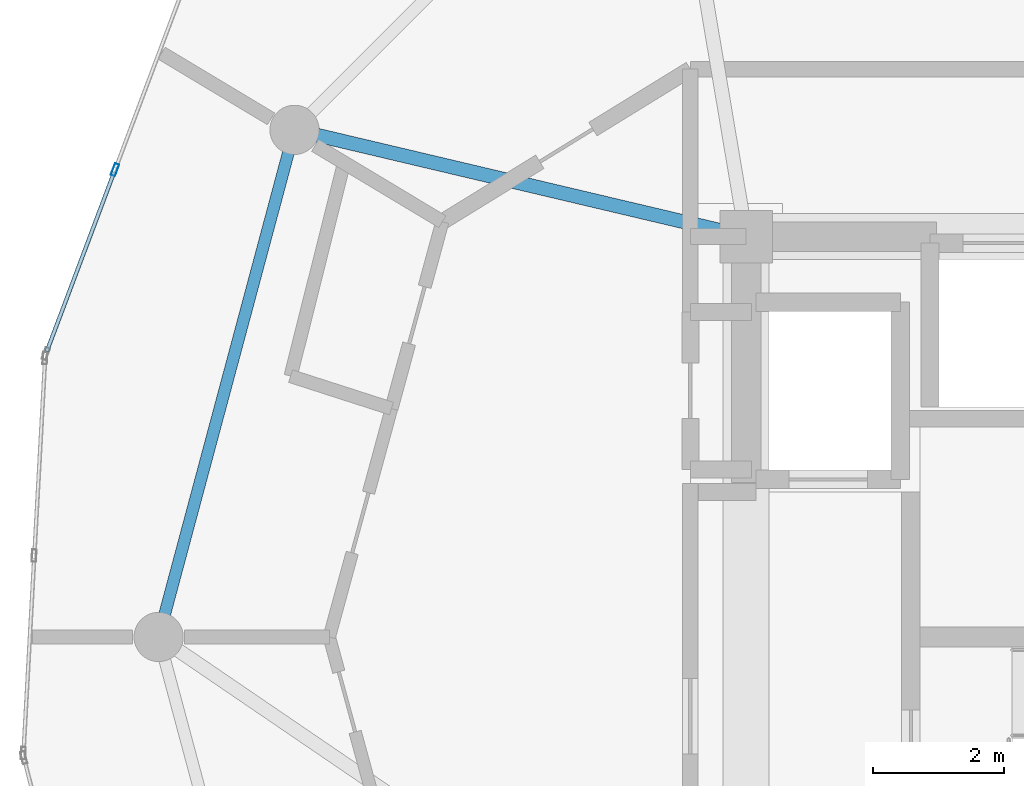
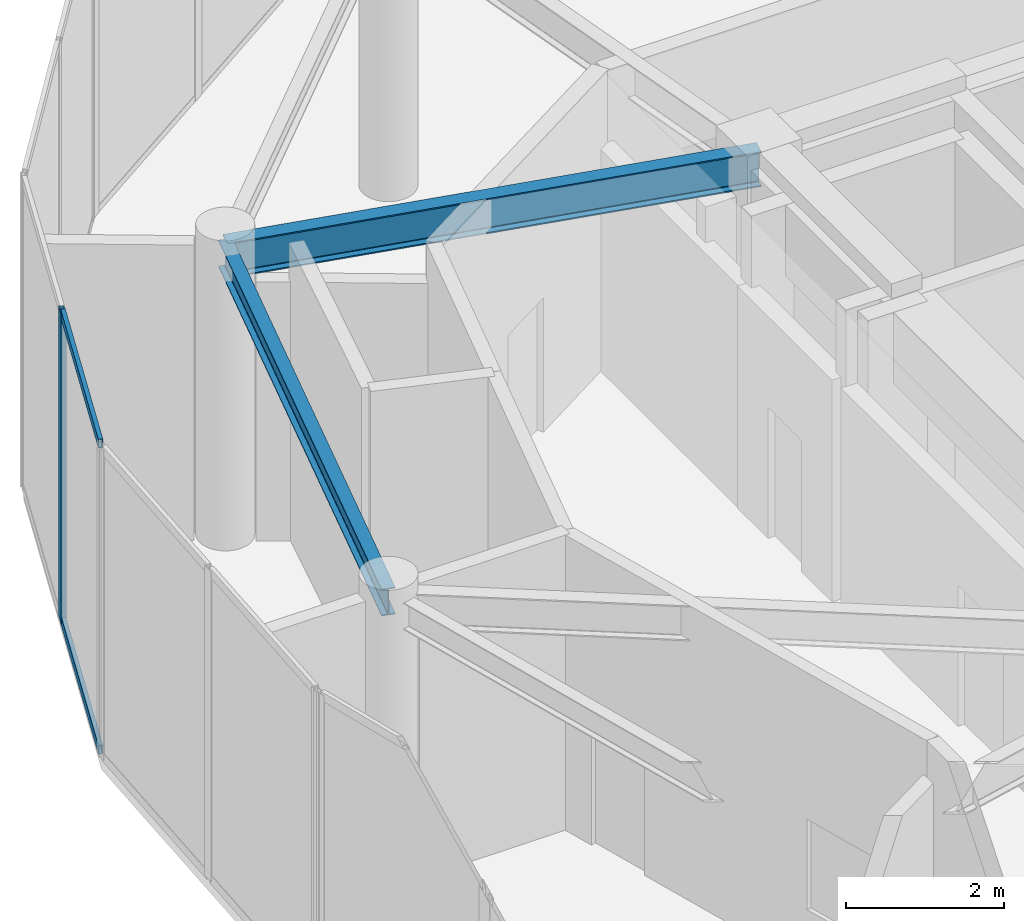
# One storey, part 7 of 21: 3 members, 2 beams, 1 element without a shape of its own.
"""IFC4 building model written with IfcOpenShell, lengths in metres."""

from ifc_helpers import new_model, si_unit, direction, frame, origin, origin_2d, place, context, subcontext, project, spatial, hollow_rectangle, i_section, extrude, source, transform, mapped, material, layer, layer_set, material_profile, profile_set, type_object, element, aggregate, save


model = new_model("IFC4")

# Units and contexts
model_context = context("Model", 3, precision=1e-05, world=origin(), true_north=direction((0.0, 1.0)))
body_context = subcontext(model_context, "Body", "Model", "MODEL_VIEW")
ifc_project = project(units=[si_unit("LENGTHUNIT", "METRE"), si_unit("AREAUNIT", "SQUARE_METRE"), si_unit("VOLUMEUNIT", "CUBIC_METRE"), si_unit("PLANEANGLEUNIT", "RADIAN"), si_unit("MASSUNIT", "GRAM", prefix="KILO")], contexts=[model_context])

# Site, building, storey
site_placement = place(None, origin())
site = spatial("IfcSite", under=ifc_project, at=site_placement, CompositionType="ELEMENT")
building_placement = place(site_placement, origin())
building = spatial("IfcBuilding", under=site, at=building_placement, Name="Solvirekh Grand Hotel", CompositionType="ELEMENT")
storey_placement = place(building_placement, frame((0.0, 0.0, 262.0)))
storey = spatial("IfcBuildingStorey", under=building, at=storey_placement, Name="L68", CompositionType="ELEMENT", Elevation=262.0)

# Beams
ifc_material_1 = material(Name="Steel S355", Category="steel")
ifc_material_profile_1 = material_profile(ifc_material_1, i_section(OverallWidth=0.2119140625, OverallDepth=0.5439453125, WebThickness=0.011962890625, FlangeThickness=0.01904296875, FilletRadius=0.013916015625, at=origin_2d()), Name="W530X123")
ifc_profile_set_1 = profile_set([ifc_material_profile_1], Name="Steel S355")
beam_type_1 = type_object("IfcBeamType", Name="Beam_Radial_W530H", PredefinedType="BEAM", material=ifc_profile_set_1)
beam_1_placement = place(storey_placement, frame((-6.5, 6.10009765625, 4.298095703125), z_axis=(-0.973221147544, 0.229870828888, 0.0), x_axis=(-0.229870828888, -0.973221147544, 0.0)))
element("IfcBeam", 1, at=beam_1_placement, inside=storey, type_object=beam_type_1, Name="L68 radial floor beam R06", PredefinedType="BEAM", context=body_context, shape_type="SweptSolid", body=[
    extrude(i_section(OverallWidth=0.2119140625, OverallDepth=0.5439453125, WebThickness=0.011962890625, FlangeThickness=0.01904296875, FilletRadius=0.013916015625, at=origin_2d()), origin(), (0.0, 0.0, 1.0), 7.069091796875),
])
ifc_material_profile_2 = material_profile(ifc_material_1, i_section(OverallWidth=0.180908203125, OverallDepth=0.4169921875, WebThickness=0.010009765625, FlangeThickness=0.01611328125, FilletRadius=0.011962890625, at=origin_2d()), Name="W410X85")
ifc_profile_set_2 = profile_set([ifc_material_profile_2], Name="Steel S355")
beam_type_2 = type_object("IfcBeamType", Name="Spandrel_Ring_W410", PredefinedType="SPANDREL", material=ifc_profile_set_2)
beam_2_placement = place(storey_placement, frame((-13.3798828125, 7.72509765625, 4.361083984375), z_axis=(-0.258834757072, -0.965921616143, 0.0), x_axis=(0.965921616143, -0.258834757072, 0.0)))
element("IfcBeam", 2, at=beam_2_placement, inside=storey, type_object=beam_type_2, Name="L68 perimeter spandrel beam 6", PredefinedType="SPANDREL", context=body_context, shape_type="SweptSolid", body=[
    extrude(i_section(OverallWidth=0.180908203125, OverallDepth=0.4169921875, WebThickness=0.010009765625, FlangeThickness=0.01611328125, FilletRadius=0.011962890625, at=origin_2d()), origin(), (0.0, 0.0, 1.0), 7.99755859375),
])

# Curtain wall, members
ifc_material_2 = material(Name="Anodized Bronze Aluminium 6063-T6", Category="aluminium")
ifc_layer = layer(ifc_material_2, 0.18994140625)
ifc_layer_set = layer_set([ifc_layer], Name="Anodized Bronze Aluminium 6063-T6")
curtain_wall_type = type_object("IfcCurtainWallType", Name="CW_Sys5_SkyLobbyPanoramaCW", PredefinedType="NOTDEFINED", material=ifc_layer_set)
curtain_wall_placement = place(storey_placement, origin())
curtain_wall = element("IfcCurtainWall", 3, at=curtain_wall_placement, inside=storey, type_object=curtain_wall_type, Name="L68 unitised bronze-glass curtain wall CW-L68-C14", PredefinedType="NOTDEFINED")
ifc_material_profile_3 = material_profile(ifc_material_2, hollow_rectangle(XDim=0.070068359375, YDim=0.18994140625, WallThickness=0.0048828125, at=origin_2d()), Name="ALU RHS 190X70X5")
ifc_profile_set_3 = profile_set([ifc_material_profile_3], Name="Anodized Bronze Aluminium 6063-T6")
member_type_1 = type_object("IfcMemberType", Name="CWMullion_Sys5", PredefinedType="MULLION", material=ifc_profile_set_3)
shared_shape_1 = source(origin(), body_context, "Body", "SweptSolid", [
    extrude(hollow_rectangle(XDim=0.070068359375, YDim=0.18994140625, WallThickness=0.0048828125, at=origin_2d()), origin(), (0.0, 0.0, 1.0), 4.800048828125),
])
member_1_placement = place(storey_placement, frame((-16.114990234375, 7.115966796875, 0.0), z_axis=(0.0, 0.0, 1.0), x_axis=(0.936152519764, -0.351594169093, 0.0)))
member_1 = element("IfcMember", 4, at=member_1_placement, type_object=member_type_1, Name="U05 mullion 2", PredefinedType="MULLION", context=body_context, shape_type="MappedRepresentation", body=[
    mapped(shared_shape_1, transform((0.0, 0.0, 0.0), x_axis=(1.0, 0.0, 0.0), y_axis=(0.0, 1.0, 0.0), z_axis=(0.0, 0.0, 1.0), scale=1.0)),
])
ifc_material_profile_4 = material_profile(ifc_material_2, hollow_rectangle(XDim=0.06005859375, YDim=0.135009765625, WallThickness=0.00390625, at=origin_2d()), Name="ALU RHS 135X60X4")
ifc_profile_set_4 = profile_set([ifc_material_profile_4], Name="Anodized Bronze Aluminium 6063-T6")
member_type_2 = type_object("IfcMemberType", Name="CWTransom_Sys5", PredefinedType="USERDEFINED", material=ifc_profile_set_4)
shared_shape_2 = source(origin(), body_context, "Body", "SweptSolid", [
    extrude(hollow_rectangle(XDim=0.06005859375, YDim=0.135009765625, WallThickness=0.00390625, at=origin_2d()), origin(), (0.0, 0.0, 1.0), 2.921142578125),
])
member_2_placement = place(storey_placement, frame((-16.127197265625, 7.083251953125, 0.030029296875), z_axis=(-0.351608828472, -0.936147013957, 0.0), x_axis=(0.936147013957, -0.351608828472, 0.0)))
member_2 = element("IfcMember", 5, at=member_2_placement, type_object=member_type_2, Name="U05 transom 2.1", ObjectType="TRANSOM", PredefinedType="USERDEFINED", context=body_context, shape_type="MappedRepresentation", body=[
    mapped(shared_shape_2, transform((0.0, 0.0, 0.0), x_axis=(1.0, 0.0, 0.0), y_axis=(0.0, 1.0, 0.0), z_axis=(0.0, 0.0, 1.0), scale=1.0)),
])
member_3_placement = place(storey_placement, frame((-16.127197265625, 7.083251953125, 4.77001953125), z_axis=(-0.351608828472, -0.936147013957, 0.0), x_axis=(0.936147013957, -0.351608828472, 0.0)))
member_3 = element("IfcMember", 6, at=member_3_placement, type_object=member_type_2, Name="U05 transom 2.2", ObjectType="TRANSOM", PredefinedType="USERDEFINED", context=body_context, shape_type="MappedRepresentation", body=[
    mapped(shared_shape_2, transform((0.0, 0.0, 0.0), x_axis=(1.0, 0.0, 0.0), y_axis=(0.0, 1.0, 0.0), z_axis=(0.0, 0.0, 1.0), scale=1.0)),
])
aggregate(curtain_wall, [member_1, member_2, member_3])

save(model, "model.ifc")
